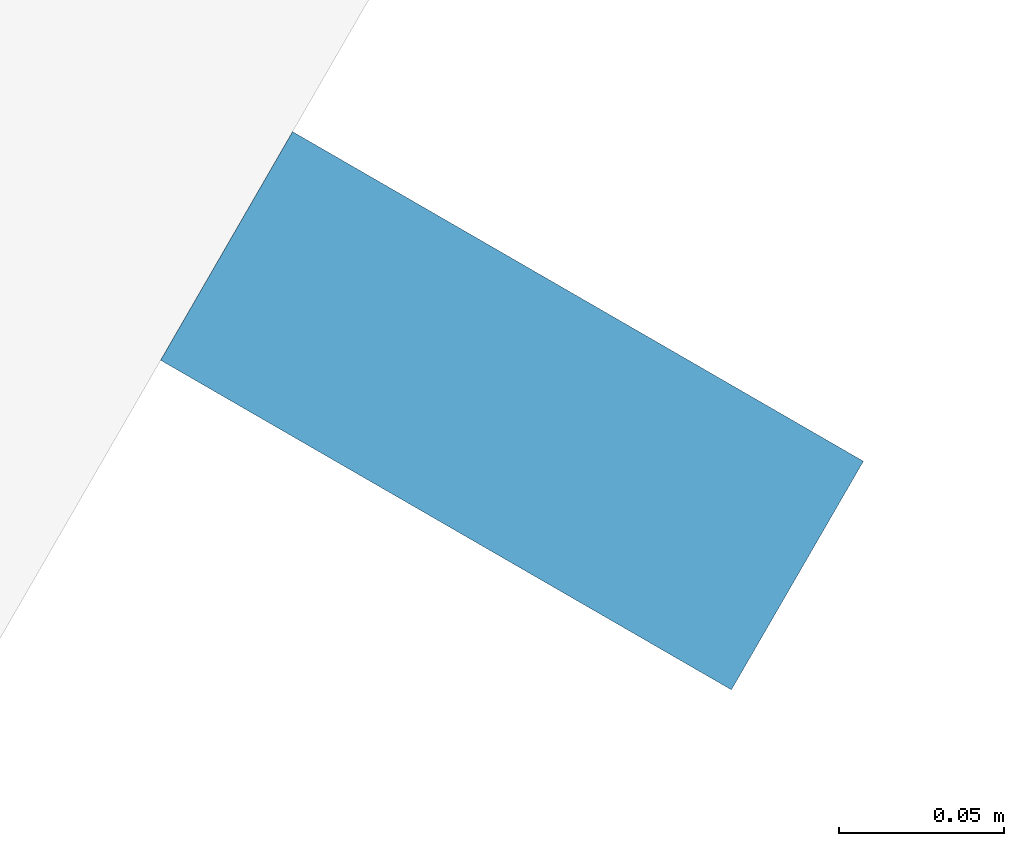
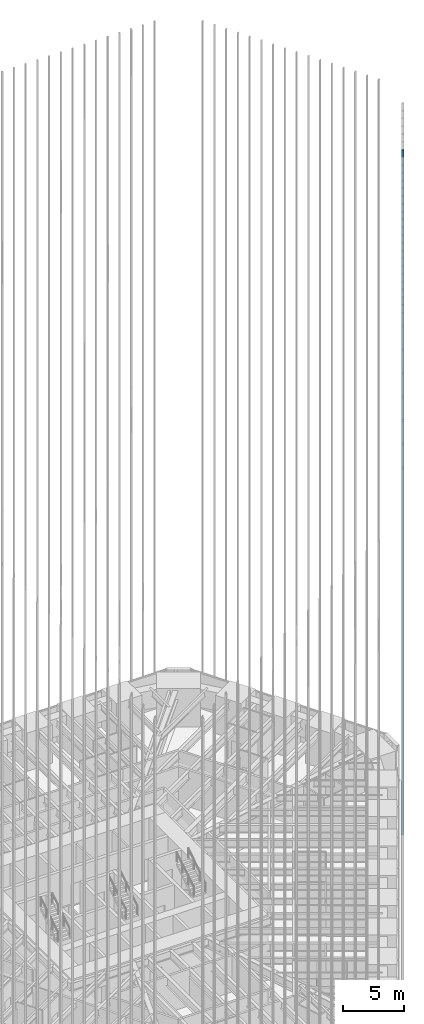
# One storey, part 125 of 256: 1 member, 1 element without a shape of its own.
"""IFC4 building model written with IfcOpenShell, lengths in metres."""

from ifc_helpers import new_model, si_unit, direction, frame, origin, origin_2d, place, context, subcontext, project, spatial, rectangle, extrude, material, material_profile, profile_set, type_object, element, aggregate, save


model = new_model("IFC4")

# Units and contexts
model_context = context("Model", 3, precision=1e-05, world=origin(), true_north=direction((0.0, 1.0)))
body_context = subcontext(model_context, "Body", "Model", "MODEL_VIEW")
ifc_project = project(units=[si_unit("LENGTHUNIT", "METRE"), si_unit("AREAUNIT", "SQUARE_METRE"), si_unit("VOLUMEUNIT", "CUBIC_METRE"), si_unit("PLANEANGLEUNIT", "RADIAN"), si_unit("MASSUNIT", "GRAM", prefix="KILO")], contexts=[model_context])

# Site, building, storey
site_placement = place(None, origin())
site = spatial("IfcSite", under=ifc_project, at=site_placement, CompositionType="ELEMENT")
building_placement = place(site_placement, origin())
building = spatial("IfcBuilding", under=site, at=building_placement, Name="Sandreach Pilgrim Tower", CompositionType="ELEMENT")
storey_placement = place(building_placement, frame((0.0, 0.0, 23.0)))
storey = spatial("IfcBuildingStorey", under=building, at=storey_placement, Name="L04", CompositionType="ELEMENT", Elevation=23.0)

# Curtain wall, member
ifc_material_1 = material(Name="Aluminium framed curtain wall", Category="aluminium")
curtain_wall_type = type_object("IfcCurtainWallType", Name="Hostel tower curtain wall", PredefinedType="NOTDEFINED", material=ifc_material_1)
curtain_wall_placement = place(storey_placement, origin())
curtain_wall = element("IfcCurtainWall", 1, at=curtain_wall_placement, inside=storey, type_object=curtain_wall_type, Name="CW-1 L04 SE", PredefinedType="NOTDEFINED")
ifc_material_2 = material(Name="Extruded terracotta on aluminium core", Category="masonry")
ifc_material_profile = material_profile(ifc_material_2, rectangle(XDim=0.080078125, YDim=0.199951171875, at=origin_2d()), Name="TBE 80X200")
ifc_profile_set = profile_set([ifc_material_profile], Name="Extruded terracotta on aluminium core")
member_type = type_object("IfcMemberType", Name="Terracotta baguette east", PredefinedType="USERDEFINED", material=ifc_profile_set)
member_placement = place(storey_placement, frame((27.16796875, -1.640869140625, 0.0), z_axis=(0.0, 0.0, 1.0), x_axis=(-0.5, -0.866025403784, 0.0)))
member = element("IfcMember", 2, at=member_placement, type_object=member_type, Name="Baguette Z1 SE07", ObjectType="BAGUETTE", PredefinedType="USERDEFINED", context=body_context, shape_type="SweptSolid", body=[
    extrude(rectangle(XDim=0.080078125, YDim=0.199951171875, at=origin_2d()), origin(), (0.0, 0.0, 1.0), 68.239990234375),
])
aggregate(curtain_wall, [member])

save(model, "model.ifc")
